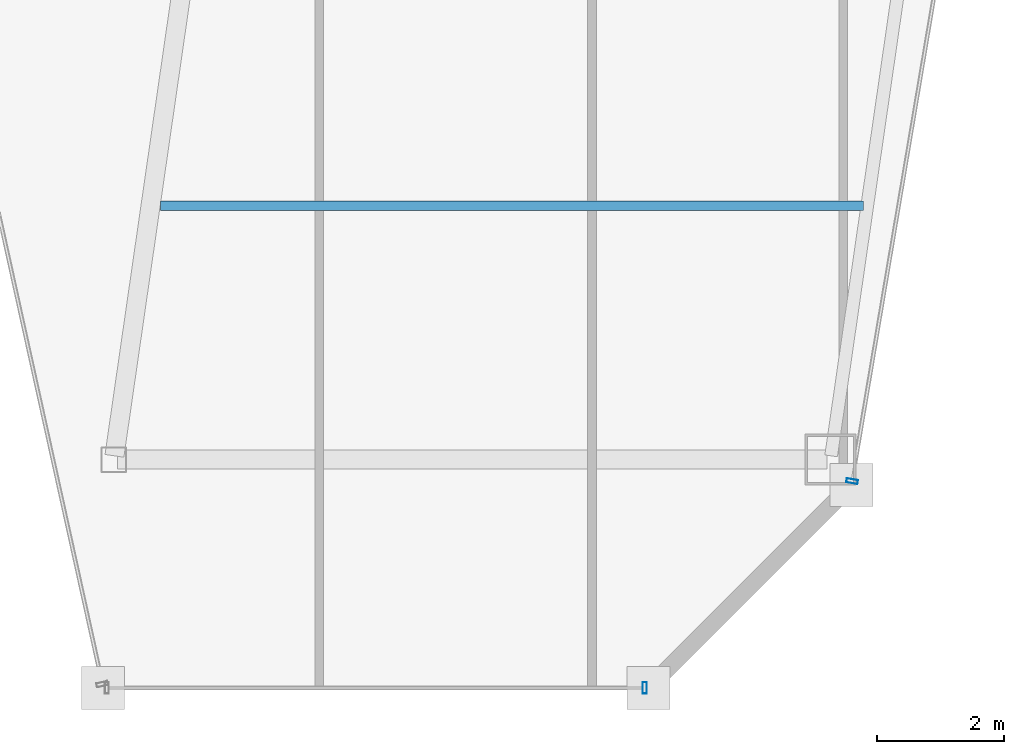
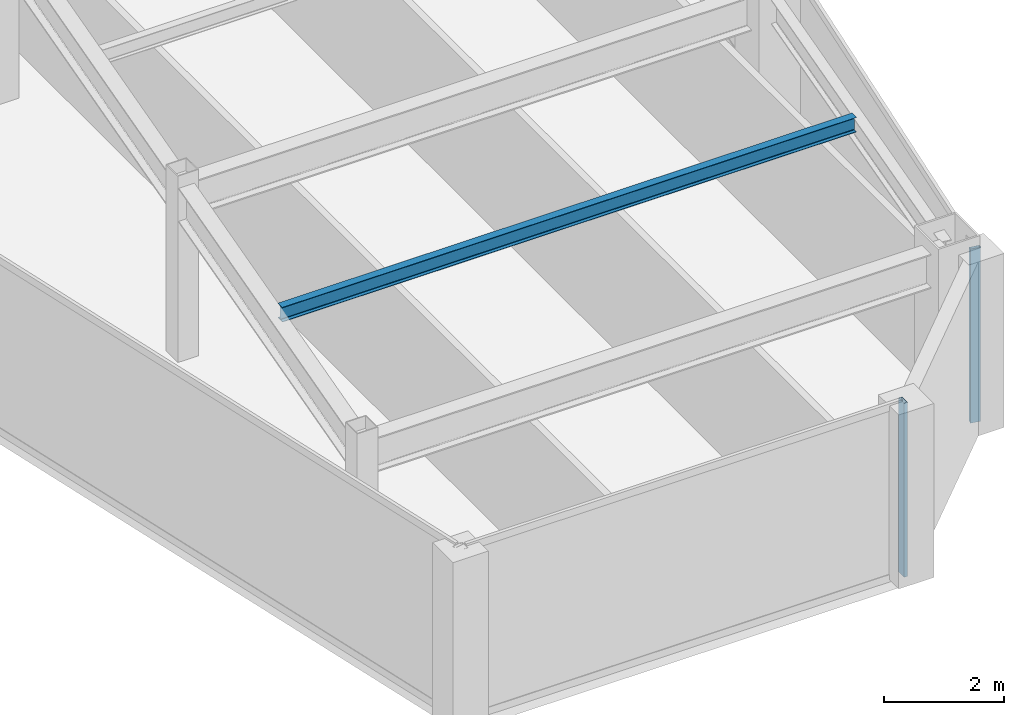
# One storey, part 18 of 36: 2 members, 1 beam, 2 elements without a shape of their own.
"""IFC4 building model written with IfcOpenShell, lengths in metres."""

from ifc_helpers import new_model, si_unit, direction, frame, origin, origin_2d, place, context, subcontext, project, spatial, hollow_rectangle, i_section, extrude, material, material_profile, profile_set, type_object, element, aggregate, save


model = new_model("IFC4")

# Units and contexts
model_context = context("Model", 3, precision=1e-05, world=origin(), true_north=direction((0.0, 1.0)))
body_context = subcontext(model_context, "Body", "Model", "MODEL_VIEW")
ifc_project = project(units=[si_unit("LENGTHUNIT", "METRE"), si_unit("AREAUNIT", "SQUARE_METRE"), si_unit("VOLUMEUNIT", "CUBIC_METRE"), si_unit("PLANEANGLEUNIT", "RADIAN"), si_unit("MASSUNIT", "GRAM", prefix="KILO")], contexts=[model_context])

# Site, building, storey
site_placement = place(None, origin())
site = spatial("IfcSite", under=ifc_project, at=site_placement, CompositionType="ELEMENT")
building_placement = place(site_placement, origin())
building = spatial("IfcBuilding", under=site, at=building_placement, Name="Saevonmaru Cultural Tower", CompositionType="ELEMENT")
storey_placement = place(building_placement, frame((0.0, 0.0, 205.60009765625)))
storey = spatial("IfcBuildingStorey", under=building, at=storey_placement, Name="L47", CompositionType="ELEMENT", Elevation=205.60009765625)

# Beam
ifc_material_1 = material(Name="Steel SM355", Category="steel")
ifc_material_profile_1 = material_profile(ifc_material_1, i_section(OverallWidth=0.14990234375, OverallDepth=0.300048828125, WebThickness=0.006591796875, FlangeThickness=0.009033203125, FilletRadius=0.012939453125, at=origin_2d()), Name="H-300x150x6.5x9")
ifc_profile_set_1 = profile_set([ifc_material_profile_1], Name="Steel SM355")
beam_type = type_object("IfcBeamType", Name="BM-J-H300", PredefinedType="JOIST", material=ifc_profile_set_1)
beam_placement = place(storey_placement, frame((38.80810546875, 20.0, 3.39990234375), z_axis=(1.0, 0.0, 0.0), x_axis=(0.0, 1.0, 0.0)))
element("IfcBeam", 1, at=beam_placement, inside=storey, type_object=beam_type, Name="L47 East Wing Floor Joist 1", PredefinedType="JOIST", context=body_context, shape_type="SweptSolid", body=[
    extrude(i_section(OverallWidth=0.14990234375, OverallDepth=0.300048828125, WebThickness=0.006591796875, FlangeThickness=0.009033203125, FilletRadius=0.012939453125, at=origin_2d()), origin(), (0.0, 0.0, 1.0), 11.081787109375),
])

# Curtain wall, member
ifc_material_2 = material(Name="Satin Bronze Anodised Aluminium", Category="aluminium")
curtain_wall_type = type_object("IfcCurtainWallType", Name="CW-TYP-B", PredefinedType="NOTDEFINED", material=ifc_material_2)
curtain_wall_1_placement = place(storey_placement, origin())
curtain_wall_1 = element("IfcCurtainWall", 2, at=curtain_wall_1_placement, inside=storey, type_object=curtain_wall_type, Name="L47 Unitised Curtain Wall E6", PredefinedType="NOTDEFINED")
ifc_material_profile_2 = material_profile(ifc_material_2, hollow_rectangle(XDim=0.06494140625, YDim=0.179931640625, WallThickness=0.00390625, at=origin_2d()), Name="ALU-MULL-180x65x4")
ifc_profile_set_2 = profile_set([ifc_material_profile_2], Name="Satin Bronze Anodised Aluminium")
member_type = type_object("IfcMemberType", Name="ML-CW-180x65", PredefinedType="MULLION", material=ifc_profile_set_2)
member_1_placement = place(storey_placement, frame((46.442138671875, 12.39990234375, 0.0), z_axis=(0.0, 0.0, 1.0), x_axis=(1.0, 0.0, 0.0)))
member_1 = element("IfcMember", 3, at=member_1_placement, type_object=member_type, Name="CW-TW-L47-E6 mullion 2", PredefinedType="MULLION", context=body_context, shape_type="SweptSolid", body=[
    extrude(hollow_rectangle(XDim=0.06494140625, YDim=0.179931640625, WallThickness=0.00390625, at=origin_2d()), origin(), (0.0, 0.0, 1.0), 3.5498046875),
])
aggregate(curtain_wall_1, [member_1])

curtain_wall_2_placement = place(storey_placement, origin())
curtain_wall_2 = element("IfcCurtainWall", 4, at=curtain_wall_2_placement, inside=storey, type_object=curtain_wall_type, Name="L47 Unitised Curtain Wall E8", PredefinedType="NOTDEFINED")
member_2_placement = place(storey_placement, frame((49.712158203125, 15.6591796875, 0.0), z_axis=(0.0, 0.0, 1.0), x_axis=(0.16692169721, 0.985970155228, 0.0)))
member_2 = element("IfcMember", 5, at=member_2_placement, type_object=member_type, Name="CW-TW-L47-E8 mullion 1", PredefinedType="MULLION", context=body_context, shape_type="SweptSolid", body=[
    extrude(hollow_rectangle(XDim=0.06494140625, YDim=0.179931640625, WallThickness=0.00390625, at=origin_2d()), origin(), (0.0, 0.0, 1.0), 3.5498046875),
])
aggregate(curtain_wall_2, [member_2])

save(model, "model.ifc")
